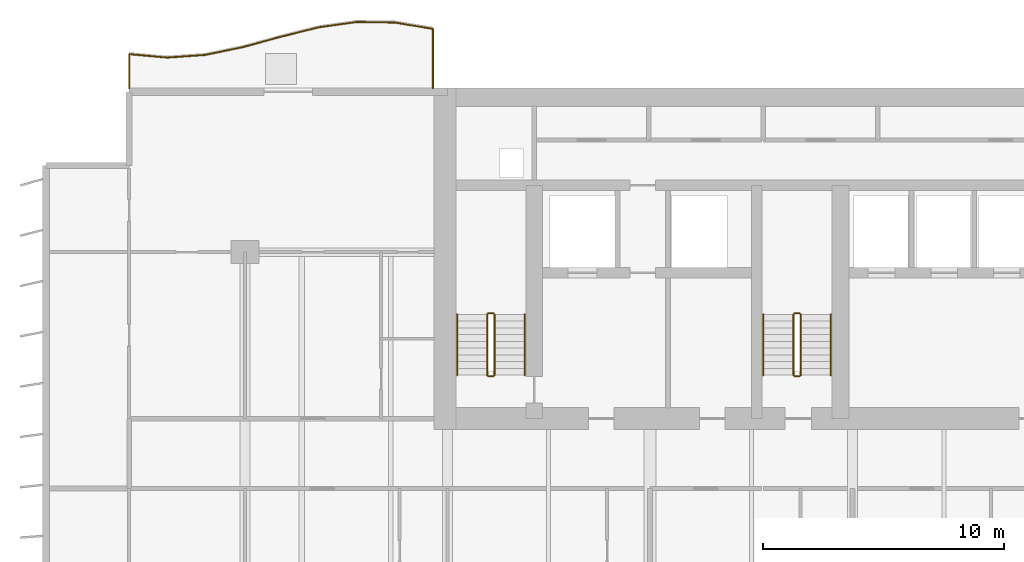
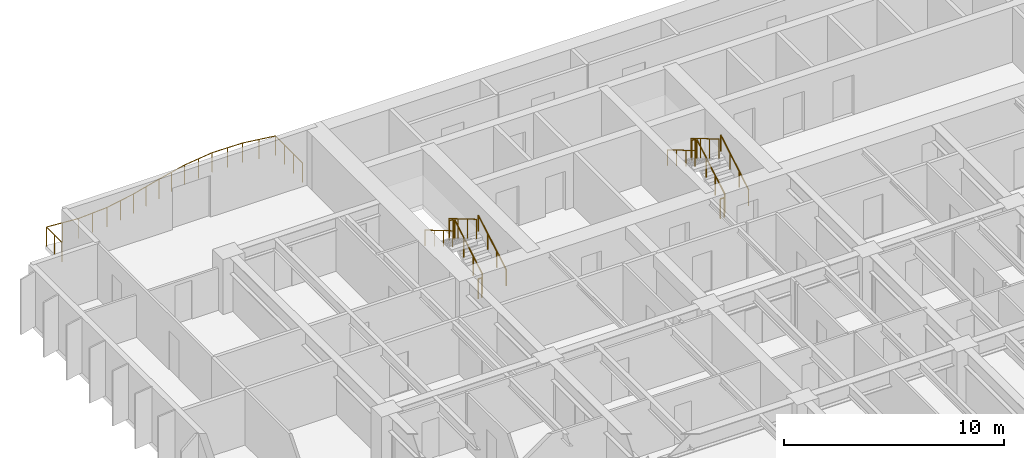
# One storey, part 16 of 18: 13 railings.
"""IFC4 building model written with IfcOpenShell, lengths in metres."""

from ifc_helpers import new_model, si_unit, direction, frame, origin, origin_2d, place, context, subcontext, project, spatial, circle, extrude, material, type_object, element, save


model = new_model("IFC4")

# Units and contexts
model_context = context("Model", 3, precision=1e-05, world=origin(), true_north=direction((0.0, 1.0)))
body_context = subcontext(model_context, "Body", "Model", "MODEL_VIEW")
ifc_project = project(units=[si_unit("LENGTHUNIT", "METRE"), si_unit("AREAUNIT", "SQUARE_METRE"), si_unit("VOLUMEUNIT", "CUBIC_METRE"), si_unit("PLANEANGLEUNIT", "RADIAN"), si_unit("MASSUNIT", "GRAM", prefix="KILO")], contexts=[model_context])

# Site, building, storey
site_placement = place(None, origin())
site = spatial("IfcSite", under=ifc_project, at=site_placement, CompositionType="ELEMENT")
building_placement = place(site_placement, origin())
building = spatial("IfcBuilding", under=site, at=building_placement, Name="Caelmar Bay Residences", CompositionType="ELEMENT")
storey_placement = place(building_placement, frame((0.0, 0.0, 43.199951171875)))
storey = spatial("IfcBuildingStorey", under=building, at=storey_placement, Name="L10", CompositionType="ELEMENT", Elevation=43.199951171875)

# Railings
ifc_material_1 = material(Name="Anodised bronze handrail with laminated hurricane glass infill", Category="glass")
railing_type_1 = type_object("IfcRailingType", Name="RL-BAL-1100", PredefinedType="BALUSTRADE", material=ifc_material_1)
railing_1_placement = place(storey_placement, frame((17.699951171875, 50.60009765625, 0.0)))
element("IfcRailing", 1, at=railing_1_placement, inside=storey, type_object=railing_type_1, Name="L10 north_west Balcony Balustrade", PredefinedType="BALUSTRADE", context=body_context, shape_type="SweptSolid", body=[
    extrude(circle(Radius=0.02392578125, at=origin_2d()), frame((0.0, 0.0, 1.076171875), z_axis=(0.0, 1.0, 0.0), x_axis=(-1.0, 0.0, 0.0)), (0.0, 0.0, 1.0), 2.460693359375),
    extrude(circle(Radius=0.02392578125, at=origin_2d()), frame((0.0, 2.460693359375, 1.076171875), z_axis=(-0.986373253557, 0.16452296091, 0.0), x_axis=(-0.16452296091, -0.986373253557, 0.0)), (0.0, 0.0, 1.0), 1.5966796875),
    extrude(circle(Radius=0.02392578125, at=origin_2d()), frame((-1.574951171875, 2.723388671875, 1.076171875), z_axis=(-0.999865029232, 0.016429343218, 0.0), x_axis=(-0.016429343218, -0.999865029232, 0.0)), (0.0, 0.0, 1.0), 1.5751953125),
    extrude(circle(Radius=0.02392578125, at=origin_2d()), frame((-3.14990234375, 2.749267578125, 1.076171875), z_axis=(-0.990365762787, -0.138476192534, 0.0), x_axis=(0.138476192534, -0.990365762787, 0.0)), (0.0, 0.0, 1.0), 1.59033203125),
    extrude(circle(Radius=0.02392578125, at=origin_2d()), frame((-4.724853515625, 2.529052734375, 1.076171875), z_axis=(-0.970424957925, -0.241402984729, 0.0), x_axis=(0.241402984729, -0.970424957925, 0.0)), (0.0, 0.0, 1.0), 1.623291015625),
    extrude(circle(Radius=0.02392578125, at=origin_2d()), frame((-6.300048828125, 2.13720703125, 1.076171875), z_axis=(-0.964473421299, -0.264179900083, 0.0), x_axis=(0.264179900083, -0.964473421299, 0.0)), (0.0, 0.0, 1.0), 1.633056640625),
    extrude(circle(Radius=0.02392578125, at=origin_2d()), frame((-7.875, 1.705810546875, 1.076171875), z_axis=(-0.97931127967, -0.202359624213, 0.0), x_axis=(0.202359624213, -0.97931127967, 0.0)), (0.0, 0.0, 1.0), 1.608154296875),
    extrude(circle(Radius=0.02392578125, at=origin_2d()), frame((-9.449951171875, 1.38037109375, 1.076171875), z_axis=(-0.997575849837, -0.069587526341, 0.0), x_axis=(0.069587526341, -0.997575849837, 0.0)), (0.0, 0.0, 1.0), 1.578857421875),
    extrude(circle(Radius=0.02392578125, at=origin_2d()), frame((-11.02490234375, 1.2705078125, 1.076171875), z_axis=(-0.995927302368, 0.090159904601, 0.0), x_axis=(-0.090159904601, -0.995927302368, 0.0)), (0.0, 0.0, 1.0), 1.581298828125),
    extrude(circle(Radius=0.02392578125, at=origin_2d()), frame((-12.599853515625, 1.4130859375, 1.076171875), z_axis=(0.0, -1.0, 0.0), x_axis=(1.0, 0.0, 0.0)), (0.0, 0.0, 1.0), 1.4130859375),
    extrude(circle(Radius=0.02099609375, at=origin_2d()), origin(), (0.0, 0.0, 1.0), 1.052001953125),
    extrude(circle(Radius=0.02099609375, at=origin_2d()), frame((0.0, 0.8203125, 0.0)), (0.0, 0.0, 1.0), 1.052001953125),
    extrude(circle(Radius=0.02099609375, at=origin_2d()), frame((0.0, 1.640380859375, 0.0)), (0.0, 0.0, 1.0), 1.052001953125),
    extrude(circle(Radius=0.02099609375, at=origin_2d()), frame((0.0, 2.460693359375, 0.0)), (0.0, 0.0, 1.0), 1.052001953125),
    extrude(circle(Radius=0.02099609375, at=origin_2d()), frame((-0.78759765625, 2.592041015625, 0.0)), (0.0, 0.0, 1.0), 1.052001953125),
    extrude(circle(Radius=0.02099609375, at=origin_2d()), frame((-1.574951171875, 2.723388671875, 0.0)), (0.0, 0.0, 1.0), 1.052001953125),
    extrude(circle(Radius=0.02099609375, at=origin_2d()), frame((-2.3623046875, 2.736328125, 0.0)), (0.0, 0.0, 1.0), 1.052001953125),
    extrude(circle(Radius=0.02099609375, at=origin_2d()), frame((-3.14990234375, 2.749267578125, 0.0)), (0.0, 0.0, 1.0), 1.052001953125),
    extrude(circle(Radius=0.02099609375, at=origin_2d()), frame((-3.9375, 2.63916015625, 0.0)), (0.0, 0.0, 1.0), 1.052001953125),
    extrude(circle(Radius=0.02099609375, at=origin_2d()), frame((-4.724853515625, 2.529052734375, 0.0)), (0.0, 0.0, 1.0), 1.052001953125),
    extrude(circle(Radius=0.02099609375, at=origin_2d()), frame((-5.512451171875, 2.3330078125, 0.0)), (0.0, 0.0, 1.0), 1.052001953125),
    extrude(circle(Radius=0.02099609375, at=origin_2d()), frame((-6.300048828125, 2.13720703125, 0.0)), (0.0, 0.0, 1.0), 1.052001953125),
    extrude(circle(Radius=0.02099609375, at=origin_2d()), frame((-7.08740234375, 1.92138671875, 0.0)), (0.0, 0.0, 1.0), 1.052001953125),
    extrude(circle(Radius=0.02099609375, at=origin_2d()), frame((-7.875, 1.705810546875, 0.0)), (0.0, 0.0, 1.0), 1.052001953125),
    extrude(circle(Radius=0.02099609375, at=origin_2d()), frame((-8.66259765625, 1.54296875, 0.0)), (0.0, 0.0, 1.0), 1.052001953125),
    extrude(circle(Radius=0.02099609375, at=origin_2d()), frame((-9.449951171875, 1.38037109375, 0.0)), (0.0, 0.0, 1.0), 1.052001953125),
    extrude(circle(Radius=0.02099609375, at=origin_2d()), frame((-10.2373046875, 1.325439453125, 0.0)), (0.0, 0.0, 1.0), 1.052001953125),
    extrude(circle(Radius=0.02099609375, at=origin_2d()), frame((-11.02490234375, 1.2705078125, 0.0)), (0.0, 0.0, 1.0), 1.052001953125),
    extrude(circle(Radius=0.02099609375, at=origin_2d()), frame((-11.8125, 1.341796875, 0.0)), (0.0, 0.0, 1.0), 1.052001953125),
    extrude(circle(Radius=0.02099609375, at=origin_2d()), frame((-12.599853515625, 1.4130859375, 0.0)), (0.0, 0.0, 1.0), 1.052001953125),
    extrude(circle(Radius=0.02099609375, at=origin_2d()), frame((-12.599853515625, 0.70654296875, 0.0)), (0.0, 0.0, 1.0), 1.052001953125),
    extrude(circle(Radius=0.02099609375, at=origin_2d()), frame((-12.599853515625, 0.0, 0.0)), (0.0, 0.0, 1.0), 1.052001953125),
])
ifc_material_2 = material(Name="Painted galvanized steel stair guard 1100 mm", Category="steel")
railing_type_2 = type_object("IfcRailingType", Name="RL-GRD-1100", PredefinedType="GUARDRAIL", material=ifc_material_2)
railing_2_placement = place(storey_placement, frame((20.25, 38.699951171875, 0.1650390625)))
element("IfcRailing", 2, at=railing_2_placement, inside=storey, type_object=railing_type_2, Name="L10 ST1 stair guard 1", PredefinedType="GUARDRAIL", context=body_context, shape_type="SweptSolid", body=[
    extrude(circle(Radius=0.02392578125, at=origin_2d()), frame((0.0, 0.0, 1.076171875), z_axis=(0.0, 0.86152411907, 0.507716645641), x_axis=(-1.0, 0.0, 0.0)), (0.0, 0.0, 1.0), 2.925048828125),
    extrude(circle(Radius=0.02099609375, at=origin_2d()), origin(), (0.0, 0.0, 1.0), 1.052001953125),
    extrude(circle(Radius=0.02099609375, at=origin_2d()), frame((0.0, 0.840087890625, 0.4951171875)), (0.0, 0.0, 1.0), 1.052001953125),
    extrude(circle(Radius=0.02099609375, at=origin_2d()), frame((0.0, 1.679931640625, 0.989990234375)), (0.0, 0.0, 1.0), 1.052001953125),
    extrude(circle(Radius=0.02099609375, at=origin_2d()), frame((0.0, 2.52001953125, 1.485107421875)), (0.0, 0.0, 1.0), 1.052001953125),
])
railing_3_placement = place(storey_placement, frame((20.199951171875, 41.27001953125, 1.650146484375)))
element("IfcRailing", 3, at=railing_3_placement, inside=storey, type_object=railing_type_2, Name="L10 ST1 stair guard 2", PredefinedType="GUARDRAIL", context=body_context, shape_type="SweptSolid", body=[
    extrude(circle(Radius=0.02392578125, at=origin_2d()), frame((0.0, 0.0, 1.076171875), z_axis=(-1.0, 0.0, 0.0), x_axis=(0.0, -1.0, 0.0)), (0.0, 0.0, 1.0), 0.199951171875),
    extrude(circle(Radius=0.02099609375, at=origin_2d()), origin(), (0.0, 0.0, 1.0), 1.052001953125),
    extrude(circle(Radius=0.02099609375, at=origin_2d()), frame((-0.199951171875, 0.0, 0.0)), (0.0, 0.0, 1.0), 1.052001953125),
])
railing_4_placement = place(storey_placement, frame((19.949951171875, 41.219970703125, 1.81494140625)))
element("IfcRailing", 4, at=railing_4_placement, inside=storey, type_object=railing_type_2, Name="L10 ST1 stair guard 3", PredefinedType="GUARDRAIL", context=body_context, shape_type="SweptSolid", body=[
    extrude(circle(Radius=0.02392578125, at=origin_2d()), frame((0.0, 0.0, 1.076171875), z_axis=(0.0, -0.86152411907, 0.507716645641), x_axis=(1.0, 0.0, 0.0)), (0.0, 0.0, 1.0), 2.925048828125),
    extrude(circle(Radius=0.02099609375, at=origin_2d()), origin(), (0.0, 0.0, 1.0), 1.052001953125),
    extrude(circle(Radius=0.02099609375, at=origin_2d()), frame((0.0, -0.840087890625, 0.4951171875)), (0.0, 0.0, 1.0), 1.052001953125),
    extrude(circle(Radius=0.02099609375, at=origin_2d()), frame((0.0, -1.679931640625, 0.989990234375)), (0.0, 0.0, 1.0), 1.052001953125),
    extrude(circle(Radius=0.02099609375, at=origin_2d()), frame((0.0, -2.52001953125, 1.485107421875)), (0.0, 0.0, 1.0), 1.052001953125),
])
railing_5_placement = place(storey_placement, frame((20.199951171875, 38.64990234375, 0.0)))
element("IfcRailing", 5, at=railing_5_placement, inside=storey, type_object=railing_type_2, Name="L10 ST1 stair guard 4", PredefinedType="GUARDRAIL", context=body_context, shape_type="SweptSolid", body=[
    extrude(circle(Radius=0.02392578125, at=origin_2d()), frame((0.0, 0.0, 1.076171875), z_axis=(-1.0, 0.0, 0.0), x_axis=(0.0, -1.0, 0.0)), (0.0, 0.0, 1.0), 0.199951171875),
    extrude(circle(Radius=0.02099609375, at=origin_2d()), origin(), (0.0, 0.0, 1.0), 1.052001953125),
    extrude(circle(Radius=0.02099609375, at=origin_2d()), frame((-0.199951171875, 0.0, 0.0)), (0.0, 0.0, 1.0), 1.052001953125),
])
railing_6_placement = place(storey_placement, frame((32.949951171875, 38.699951171875, 0.1650390625)))
element("IfcRailing", 6, at=railing_6_placement, inside=storey, type_object=railing_type_2, Name="L10 ST3 stair guard 1", PredefinedType="GUARDRAIL", context=body_context, shape_type="SweptSolid", body=[
    extrude(circle(Radius=0.02392578125, at=origin_2d()), frame((0.0, 0.0, 1.076171875), z_axis=(0.0, 0.86152411907, 0.507716645641), x_axis=(-1.0, 0.0, 0.0)), (0.0, 0.0, 1.0), 2.925048828125),
    extrude(circle(Radius=0.02099609375, at=origin_2d()), origin(), (0.0, 0.0, 1.0), 1.052001953125),
    extrude(circle(Radius=0.02099609375, at=origin_2d()), frame((0.0, 0.840087890625, 0.4951171875)), (0.0, 0.0, 1.0), 1.052001953125),
    extrude(circle(Radius=0.02099609375, at=origin_2d()), frame((0.0, 1.679931640625, 0.989990234375)), (0.0, 0.0, 1.0), 1.052001953125),
    extrude(circle(Radius=0.02099609375, at=origin_2d()), frame((0.0, 2.52001953125, 1.485107421875)), (0.0, 0.0, 1.0), 1.052001953125),
])
railing_7_placement = place(storey_placement, frame((32.89990234375, 41.27001953125, 1.650146484375)))
element("IfcRailing", 7, at=railing_7_placement, inside=storey, type_object=railing_type_2, Name="L10 ST3 stair guard 2", PredefinedType="GUARDRAIL", context=body_context, shape_type="SweptSolid", body=[
    extrude(circle(Radius=0.02392578125, at=origin_2d()), frame((0.0, 0.0, 1.076171875), z_axis=(-1.0, 0.0, 0.0), x_axis=(0.0, -1.0, 0.0)), (0.0, 0.0, 1.0), 0.199951171875),
    extrude(circle(Radius=0.02099609375, at=origin_2d()), origin(), (0.0, 0.0, 1.0), 1.052001953125),
    extrude(circle(Radius=0.02099609375, at=origin_2d()), frame((-0.199951171875, 0.0, 0.0)), (0.0, 0.0, 1.0), 1.052001953125),
])
railing_8_placement = place(storey_placement, frame((32.64990234375, 41.219970703125, 1.81494140625)))
element("IfcRailing", 8, at=railing_8_placement, inside=storey, type_object=railing_type_2, Name="L10 ST3 stair guard 3", PredefinedType="GUARDRAIL", context=body_context, shape_type="SweptSolid", body=[
    extrude(circle(Radius=0.02392578125, at=origin_2d()), frame((0.0, 0.0, 1.076171875), z_axis=(0.0, -0.86152411907, 0.507716645641), x_axis=(1.0, 0.0, 0.0)), (0.0, 0.0, 1.0), 2.925048828125),
    extrude(circle(Radius=0.02099609375, at=origin_2d()), origin(), (0.0, 0.0, 1.0), 1.052001953125),
    extrude(circle(Radius=0.02099609375, at=origin_2d()), frame((0.0, -0.840087890625, 0.4951171875)), (0.0, 0.0, 1.0), 1.052001953125),
    extrude(circle(Radius=0.02099609375, at=origin_2d()), frame((0.0, -1.679931640625, 0.989990234375)), (0.0, 0.0, 1.0), 1.052001953125),
    extrude(circle(Radius=0.02099609375, at=origin_2d()), frame((0.0, -2.52001953125, 1.485107421875)), (0.0, 0.0, 1.0), 1.052001953125),
])
railing_9_placement = place(storey_placement, frame((32.89990234375, 38.64990234375, 0.0)))
element("IfcRailing", 9, at=railing_9_placement, inside=storey, type_object=railing_type_2, Name="L10 ST3 stair guard 4", PredefinedType="GUARDRAIL", context=body_context, shape_type="SweptSolid", body=[
    extrude(circle(Radius=0.02392578125, at=origin_2d()), frame((0.0, 0.0, 1.076171875), z_axis=(-1.0, 0.0, 0.0), x_axis=(0.0, -1.0, 0.0)), (0.0, 0.0, 1.0), 0.199951171875),
    extrude(circle(Radius=0.02099609375, at=origin_2d()), origin(), (0.0, 0.0, 1.0), 1.052001953125),
    extrude(circle(Radius=0.02099609375, at=origin_2d()), frame((-0.199951171875, 0.0, 0.0)), (0.0, 0.0, 1.0), 1.052001953125),
])
ifc_material_3 = material(Name="Brushed bronze stainless-steel tubular handrail 900 mm", Category="steel")
railing_type_3 = type_object("IfcRailingType", Name="RL-HND-900", PredefinedType="HANDRAIL", material=ifc_material_3)
railing_10_placement = place(storey_placement, frame((21.5, 38.699951171875, 0.1650390625)))
element("IfcRailing", 10, at=railing_10_placement, inside=storey, type_object=railing_type_3, Name="L10 ST1 stair handrail 1", PredefinedType="HANDRAIL", context=body_context, shape_type="SweptSolid", body=[
    extrude(circle(Radius=0.02392578125, at=origin_2d()), frame((0.0, 0.0, 0.8759765625), z_axis=(0.0, 0.86152411907, 0.507716645641), x_axis=(-1.0, 0.0, 0.0)), (0.0, 0.0, 1.0), 2.925048828125),
    extrude(circle(Radius=0.02099609375, at=origin_2d()), origin(), (0.0, 0.0, 1.0), 0.851806640625),
    extrude(circle(Radius=0.02099609375, at=origin_2d()), frame((0.0, 0.840087890625, 0.4951171875)), (0.0, 0.0, 1.0), 0.851806640625),
    extrude(circle(Radius=0.02099609375, at=origin_2d()), frame((0.0, 1.679931640625, 0.989990234375)), (0.0, 0.0, 1.0), 0.851806640625),
    extrude(circle(Radius=0.02099609375, at=origin_2d()), frame((0.0, 2.52001953125, 1.485107421875)), (0.0, 0.0, 1.0), 0.851806640625),
])
railing_11_placement = place(storey_placement, frame((18.699951171875, 41.219970703125, 1.81494140625)))
element("IfcRailing", 11, at=railing_11_placement, inside=storey, type_object=railing_type_3, Name="L10 ST1 stair handrail 2", PredefinedType="HANDRAIL", context=body_context, shape_type="SweptSolid", body=[
    extrude(circle(Radius=0.02392578125, at=origin_2d()), frame((0.0, 0.0, 0.8759765625), z_axis=(0.0, -0.86152411907, 0.507716645641), x_axis=(1.0, 0.0, 0.0)), (0.0, 0.0, 1.0), 2.925048828125),
    extrude(circle(Radius=0.02099609375, at=origin_2d()), origin(), (0.0, 0.0, 1.0), 0.851806640625),
    extrude(circle(Radius=0.02099609375, at=origin_2d()), frame((0.0, -0.840087890625, 0.4951171875)), (0.0, 0.0, 1.0), 0.851806640625),
    extrude(circle(Radius=0.02099609375, at=origin_2d()), frame((0.0, -1.679931640625, 0.989990234375)), (0.0, 0.0, 1.0), 0.851806640625),
    extrude(circle(Radius=0.02099609375, at=origin_2d()), frame((0.0, -2.52001953125, 1.485107421875)), (0.0, 0.0, 1.0), 0.851806640625),
])
railing_12_placement = place(storey_placement, frame((34.199951171875, 38.699951171875, 0.1650390625)))
element("IfcRailing", 12, at=railing_12_placement, inside=storey, type_object=railing_type_3, Name="L10 ST3 stair handrail 1", PredefinedType="HANDRAIL", context=body_context, shape_type="SweptSolid", body=[
    extrude(circle(Radius=0.02392578125, at=origin_2d()), frame((0.0, 0.0, 0.8759765625), z_axis=(0.0, 0.86152411907, 0.507716645641), x_axis=(-1.0, 0.0, 0.0)), (0.0, 0.0, 1.0), 2.925048828125),
    extrude(circle(Radius=0.02099609375, at=origin_2d()), origin(), (0.0, 0.0, 1.0), 0.851806640625),
    extrude(circle(Radius=0.02099609375, at=origin_2d()), frame((0.0, 0.840087890625, 0.4951171875)), (0.0, 0.0, 1.0), 0.851806640625),
    extrude(circle(Radius=0.02099609375, at=origin_2d()), frame((0.0, 1.679931640625, 0.989990234375)), (0.0, 0.0, 1.0), 0.851806640625),
    extrude(circle(Radius=0.02099609375, at=origin_2d()), frame((0.0, 2.52001953125, 1.485107421875)), (0.0, 0.0, 1.0), 0.851806640625),
])
railing_13_placement = place(storey_placement, frame((31.39990234375, 41.219970703125, 1.81494140625)))
element("IfcRailing", 13, at=railing_13_placement, inside=storey, type_object=railing_type_3, Name="L10 ST3 stair handrail 2", PredefinedType="HANDRAIL", context=body_context, shape_type="SweptSolid", body=[
    extrude(circle(Radius=0.02392578125, at=origin_2d()), frame((0.0, 0.0, 0.8759765625), z_axis=(0.0, -0.86152411907, 0.507716645641), x_axis=(1.0, 0.0, 0.0)), (0.0, 0.0, 1.0), 2.925048828125),
    extrude(circle(Radius=0.02099609375, at=origin_2d()), origin(), (0.0, 0.0, 1.0), 0.851806640625),
    extrude(circle(Radius=0.02099609375, at=origin_2d()), frame((0.0, -0.840087890625, 0.4951171875)), (0.0, 0.0, 1.0), 0.851806640625),
    extrude(circle(Radius=0.02099609375, at=origin_2d()), frame((0.0, -1.679931640625, 0.989990234375)), (0.0, 0.0, 1.0), 0.851806640625),
    extrude(circle(Radius=0.02099609375, at=origin_2d()), frame((0.0, -2.52001953125, 1.485107421875)), (0.0, 0.0, 1.0), 0.851806640625),
])

save(model, "model.ifc")
